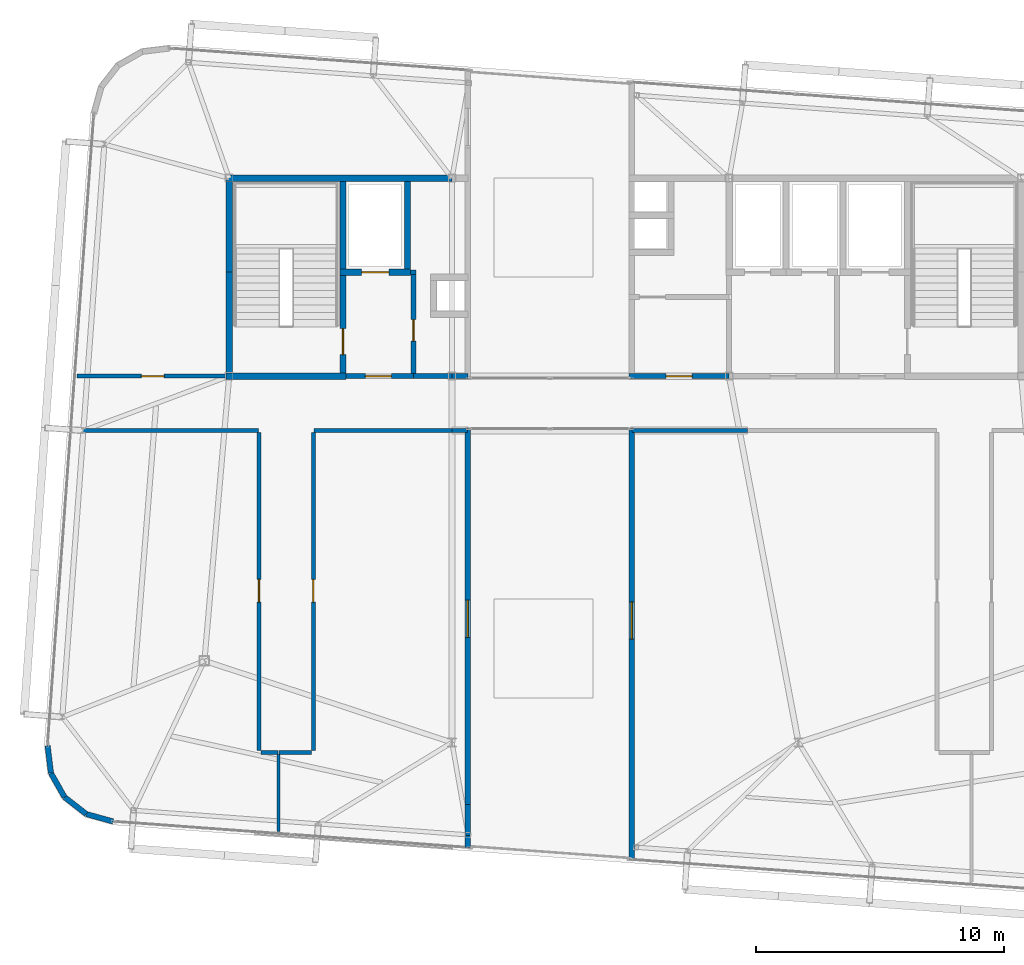
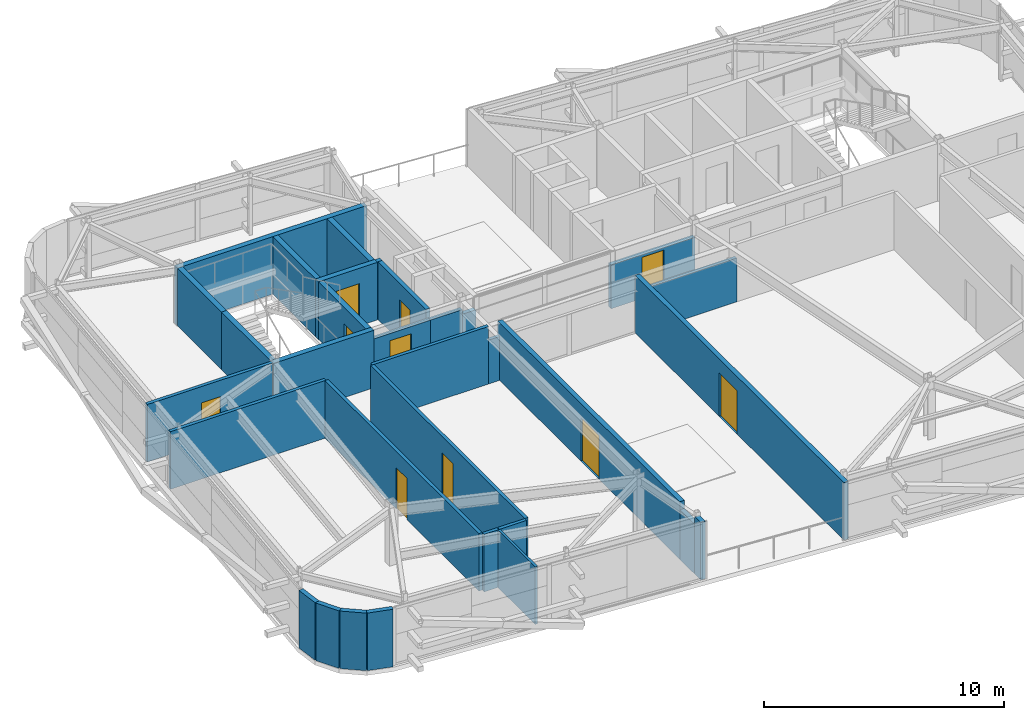
# One storey, part 32 of 36: 32 walls, 10 doors, 10 openings.
"""IFC4 building model written with IfcOpenShell, lengths in metres."""

from ifc_helpers import new_model, si_unit, direction, frame, frame_2d, origin, place, context, subcontext, project, spatial, rectangle, extrude, source, transform, mapped, material, layer, layer_set, type_object, element, fill, save


model = new_model("IFC4")

# Units and contexts
model_context = context("Model", 3, precision=1e-05, world=origin(), true_north=direction((0.0, 1.0)))
body_context = subcontext(model_context, "Body", "Model", "MODEL_VIEW")
ifc_project = project(units=[si_unit("LENGTHUNIT", "METRE"), si_unit("AREAUNIT", "SQUARE_METRE"), si_unit("VOLUMEUNIT", "CUBIC_METRE"), si_unit("PLANEANGLEUNIT", "RADIAN"), si_unit("MASSUNIT", "GRAM", prefix="KILO")], contexts=[model_context])

# Site, building, storey
site_placement = place(None, origin())
site = spatial("IfcSite", under=ifc_project, at=site_placement, CompositionType="ELEMENT")
building_placement = place(site_placement, origin())
building = spatial("IfcBuilding", under=site, at=building_placement, Name="Taldren Reach Tower", CompositionType="ELEMENT")
storey_placement = place(building_placement, frame((0.0, 0.0, 227.14990234375)))
storey = spatial("IfcBuildingStorey", under=building, at=storey_placement, Name="L69", CompositionType="ELEMENT", Elevation=227.14990234375)

# Walls
ifc_material_1 = material(Name="Pale Champagne Anodised Aluminium Cladding", Category="aluminium")
ifc_layer_1 = layer(ifc_material_1, 0.04, Name="Pale Champagne Anodised Aluminium Cladding", Category="aluminium")
ifc_material_2 = material(Name="Mineral Wool Acoustic Insulation", Category="insulation")
ifc_layer_2 = layer(ifc_material_2, 0.06, Name="Mineral Wool Acoustic Insulation", Category="insulation")
ifc_material_3 = material(Name="Steel Gr 350 (C350L0)", Category="steel")
ifc_layer_3 = layer(ifc_material_3, 0.12, Name="Steel Gr 350 (C350L0)", Category="steel")
ifc_layer_set_1 = layer_set([ifc_layer_1, ifc_layer_2, ifc_layer_3], Name="Pale Champagne Aluminium Cladding and Steel Gr 350 Stud Framing")
wall_type_1 = type_object("IfcWallType", Name="EW-CRN-220", PredefinedType="SOLIDWALL", material=ifc_layer_set_1)
shared_shape_1 = source(origin(), body_context, "Body", "SweptSolid", [
    extrude(rectangle(XDim=1.115966796875, YDim=0.219970703125, at=frame_2d((0.55810546875, 0.0))), origin(), (0.0, 0.0, 1.0), 2.93017578125),
])
for number, where, z_axis, x_axis, name in (
    (1, (11.66259765625, 9.072021484375, 0.0), (0.0, 0.0, 1.0), (0.122742076028, -0.992438604032, 0.0), "Rounded-corner pale-metal facade wall L69-SW1"),
    (2, (11.799560546875, 7.964599609375, 0.0), (0.0, 0.0, 1.0), (0.493073284892, -0.869987779067, 0.0), "Rounded-corner pale-metal facade wall L69-SW2"),
    (3, (12.349853515625, 6.99365234375, 0.0), (0.0, 0.0, 1.0), (0.788597772321, -0.614909386406, 0.0), "Rounded-corner pale-metal facade wall L69-SW3"),
):
    element("IfcWall", number, at=place(storey_placement, frame(where, z_axis=z_axis, x_axis=x_axis)), inside=storey, type_object=wall_type_1, Name=name, PredefinedType="SOLIDWALL", context=body_context, shape_type="MappedRepresentation", body=[
        mapped(shared_shape_1, transform((0.0, 0.0, 0.0), scale=1.0)),
    ])
shared_shape_2 = source(origin(), body_context, "Body", "SweptSolid", [
    extrude(rectangle(XDim=1.11572265625, YDim=0.219970703125, at=frame_2d((0.557861328125, 0.0))), origin(), (0.0, 0.0, 1.0), 2.93017578125),
])
wall_1_placement = place(storey_placement, frame((13.22998046875, 6.307373046875, 0.0), z_axis=(0.0, 0.0, 1.0), x_axis=(0.963890028874, -0.266300605026, 0.0)))
element("IfcWall", 4, at=wall_1_placement, inside=storey, type_object=wall_type_1, Name="Rounded-corner pale-metal facade wall L69-SW4", PredefinedType="SOLIDWALL", context=body_context, shape_type="MappedRepresentation", body=[
    mapped(shared_shape_2, transform((0.0, 0.0, 0.0), scale=1.0)),
])
shared_shape_3 = source(origin(), body_context, "Body", "SweptSolid", [
    extrude(rectangle(XDim=0.5029296875, YDim=0.219970703125, at=frame_2d((0.25146484375, 0.0))), origin(), (0.0, 0.0, 1.0), 2.93017578125),
])
wall_2_placement = place(storey_placement, frame((28.639892578125, 4.949462890625, 0.0), z_axis=(0.0, 0.0, 1.0), x_axis=(0.0, 1.0, 0.0)))
element("IfcWall", 5, at=wall_2_placement, inside=storey, type_object=wall_type_1, Name="Wind portal reveal wall L69-SW", PredefinedType="SOLIDWALL", context=body_context, shape_type="MappedRepresentation", body=[
    mapped(shared_shape_3, transform((0.0, 0.0, 0.0), scale=1.0)),
])
shared_shape_4 = source(origin(), body_context, "Body", "SweptSolid", [
    extrude(rectangle(XDim=1.23974609375, YDim=0.219970703125, at=frame_2d((0.619873046875, 0.0))), origin(), (0.0, 0.0, 1.0), 2.524169921875),
])
wall_3_placement = place(storey_placement, frame((28.639892578125, 5.452392578125, 0.0), z_axis=(0.0, 0.0, 1.0), x_axis=(0.0, 1.0, 0.0)))
element("IfcWall", 6, at=wall_3_placement, inside=storey, type_object=wall_type_1, Name="Wind portal reveal wall L69-SW part 2", PredefinedType="SOLIDWALL", context=body_context, shape_type="MappedRepresentation", body=[
    mapped(shared_shape_4, transform((0.0, 0.0, 0.0), scale=1.0)),
])

# Wall, opening, door
shared_shape_5 = source(origin(), body_context, "Body", "SweptSolid", [
    extrude(rectangle(XDim=15.187744140625, YDim=0.219970703125, at=frame_2d((7.59375, 0.0))), origin(), (0.0, 0.0, 1.0), 2.93017578125),
])
wall_4_placement = place(storey_placement, frame((28.639892578125, 6.692138671875, 0.0), z_axis=(0.0, 0.0, 1.0), x_axis=(0.0, 1.0, 0.0)))
wall_4 = element("IfcWall", 7, at=wall_4_placement, inside=storey, type_object=wall_type_1, Name="Wind portal reveal wall L69-SW part 3", PredefinedType="SOLIDWALL", context=body_context, shape_type="MappedRepresentation", body=[
    mapped(shared_shape_5, transform((0.0, 0.0, 0.0), scale=1.0)),
])
shared_shape_6 = source(origin(), body_context, "Body", "SweptSolid", [
    extrude(rectangle(XDim=1.5, YDim=2.199951171875, at=frame_2d((0.75, 1.10009765625))), frame((0.0, 0.1201171875, 0.0), z_axis=(0.0, -1.0, 0.0), x_axis=(1.0, 0.0, 0.0)), (0.0, 0.0, 1.0), 0.239990234375),
])
opening_1_placement = place(wall_4_placement, frame((6.75732421875, 0.0, 0.0)))
opening_1 = element("IfcOpeningElement", 8, at=opening_1_placement, cuts=wall_4, Name="Opening ED-150", PredefinedType="OPENING", context=body_context, shape_type="MappedRepresentation", body=[
    mapped(shared_shape_6, transform((0.0, 0.0, 0.0), scale=1.0)),
])
ifc_material_4 = material(Name="Weatherproof Glazed Terrace Door")
door_type_1 = type_object("IfcDoorType", Name="ED-TERR-1500", OperationType="DOUBLE_DOOR_SINGLE_SWING", PredefinedType="DOOR", material=ifc_material_4)
shared_shape_7 = source(origin(), body_context, "Body", "SweptSolid", [
    extrude(rectangle(XDim=1.5, YDim=2.199951171875, at=frame_2d((0.75, 1.10009765625))), frame((0.0, 0.02490234375, 0.0), z_axis=(0.0, -1.0, 0.0), x_axis=(1.0, 0.0, 0.0)), (0.0, 0.0, 1.0), 0.050048828125),
])
door_1_placement = place(opening_1_placement, frame((1.5, 0.0, 0.0), z_axis=(0.0, 0.0, 1.0), x_axis=(-1.0, 0.0, 0.0)))
door_1 = element("IfcDoor", 9, at=door_1_placement, inside=storey, type_object=door_type_1, Name="Wind portal terrace access door L69-SW", OperationType="SINGLE_SWING_RIGHT", OverallHeight=2.199951171875, OverallWidth=1.5, PredefinedType="DOOR", context=body_context, shape_type="MappedRepresentation", body=[
    mapped(shared_shape_7, transform((0.0, 0.0, 0.0), scale=1.0)),
])
fill(opening_1, door_1)

shared_shape_8 = source(origin(), body_context, "Body", "SweptSolid", [
    extrude(rectangle(XDim=17.400390625, YDim=0.219970703125, at=frame_2d((8.7001953125, 0.0))), origin(), (0.0, 0.0, 1.0), 2.93017578125),
])
wall_5_placement = place(storey_placement, frame((35.260009765625, 21.8798828125, 0.0), z_axis=(0.0, 0.0, 1.0), x_axis=(0.0, -1.0, 0.0)))
wall_5 = element("IfcWall", 10, at=wall_5_placement, inside=storey, type_object=wall_type_1, Name="Wind portal reveal wall L69-SE", PredefinedType="SOLIDWALL", context=body_context, shape_type="MappedRepresentation", body=[
    mapped(shared_shape_8, transform((0.0, 0.0, 0.0), scale=1.0)),
])
opening_2_placement = place(wall_5_placement, frame((7.0, 0.0, 0.0)))
opening_2 = element("IfcOpeningElement", 11, at=opening_2_placement, cuts=wall_5, Name="Opening ED-150", PredefinedType="OPENING", context=body_context, shape_type="MappedRepresentation", body=[
    mapped(shared_shape_6, transform((0.0, 0.0, 0.0), scale=1.0)),
])
door_2_placement = place(opening_2_placement, frame((1.5, 0.0, 0.0), z_axis=(0.0, 0.0, 1.0), x_axis=(-1.0, 0.0, 0.0)))
door_2 = element("IfcDoor", 12, at=door_2_placement, inside=storey, type_object=door_type_1, Name="Wind portal terrace access door L69-SE", OperationType="SINGLE_SWING_RIGHT", OverallHeight=2.199951171875, OverallWidth=1.5, PredefinedType="DOOR", context=body_context, shape_type="MappedRepresentation", body=[
    mapped(shared_shape_7, transform((0.0, 0.0, 0.0), scale=1.0)),
])
fill(opening_2, door_2)

# Wall
ifc_material_5 = material(Name="Fire-Rated Acoustic Plasterboard Stud Wall", Category="gypsum")
ifc_layer_4 = layer(ifc_material_5, 0.159912109375)
ifc_layer_set_2 = layer_set([ifc_layer_4], Name="Fire-Rated Acoustic Plasterboard Stud Wall")
wall_type_2 = type_object("IfcWallType", Name="IW-FIRE-160", PredefinedType="PARTITIONING", material=ifc_layer_set_2)
shared_shape_9 = source(origin(), body_context, "Body", "SweptSolid", [
    extrude(rectangle(XDim=1.2998046875, YDim=0.159912109375, at=frame_2d((0.64990234375, 0.0))), origin(), (0.0, 0.0, 1.0), 2.93017578125),
])
wall_6_placement = place(storey_placement, frame((22.320068359375, 8.800048828125, 0.0), z_axis=(0.0, 0.0, 1.0), x_axis=(-1.0, 0.0, 0.0)))
element("IfcWall", 13, at=wall_6_placement, inside=storey, type_object=wall_type_2, Name="Interior Partition Wall W-INT-L69-034", PredefinedType="PARTITIONING", context=body_context, shape_type="MappedRepresentation", body=[
    mapped(shared_shape_9, transform((0.0, 0.0, 0.0), scale=1.0)),
])

# Wall, opening, door
ifc_material_6 = material(Name="Concrete S50 (50 MPa)", Category="concrete")
ifc_layer_5 = layer(ifc_material_6, 0.199951171875)
ifc_layer_set_3 = layer_set([ifc_layer_5], Name="Concrete S50 (50 MPa)")
wall_type_3 = type_object("IfcWallType", Name="IW-CORE-200", PredefinedType="SOLIDWALL", material=ifc_layer_set_3)
shared_shape_10 = source(origin(), body_context, "Body", "SweptSolid", [
    extrude(rectangle(XDim=4.0, YDim=0.199951171875, at=frame_2d((2.0, 0.0))), origin(), (0.0, 0.0, 1.0), 2.93017578125),
])
wall_7_placement = place(storey_placement, frame((26.449951171875, 24.10009765625, 0.0), z_axis=(0.0, 0.0, 1.0), x_axis=(0.0, 1.0, 0.0)))
wall_7 = element("IfcWall", 14, at=wall_7_placement, inside=storey, type_object=wall_type_3, Name="Rear Core Shear Wall W-INT-L69-006", PredefinedType="SOLIDWALL", context=body_context, shape_type="MappedRepresentation", body=[
    mapped(shared_shape_10, transform((0.0, 0.0, 0.0), scale=1.0)),
])
shared_shape_11 = source(origin(), body_context, "Body", "SweptSolid", [
    extrude(rectangle(XDim=0.860107421875, YDim=2.10009765625, at=frame_2d((0.43017578125, 1.050048828125))), frame((0.0, 0.10986328125, 0.0), z_axis=(0.0, -1.0, 0.0), x_axis=(1.0, 0.0, 0.0)), (0.0, 0.0, 1.0), 0.219970703125),
])
opening_3_placement = place(wall_7_placement, frame((1.320068359375, 0.0, 0.0)))
opening_3 = element("IfcOpeningElement", 15, at=opening_3_placement, cuts=wall_7, Name="Opening DI-086", PredefinedType="OPENING", context=body_context, shape_type="MappedRepresentation", body=[
    mapped(shared_shape_11, transform((0.0, 0.0, 0.0), scale=1.0)),
])
ifc_material_7 = material(Name="Timber Bathroom Door", Category="wood")
door_type_2 = type_object("IfcDoorType", Name="ID-INT-086", OperationType="NOTDEFINED", PredefinedType="DOOR", material=ifc_material_7)
shared_shape_12 = source(origin(), body_context, "Body", "SweptSolid", [
    extrude(rectangle(XDim=0.860107421875, YDim=2.10009765625, at=frame_2d((0.43017578125, 1.050048828125))), frame((0.0, 0.02490234375, 0.0), z_axis=(0.0, -1.0, 0.0), x_axis=(1.0, 0.0, 0.0)), (0.0, 0.0, 1.0), 0.050048828125),
])
door_3_placement = place(opening_3_placement, frame((0.860107421875, 0.0, 0.0), z_axis=(0.0, 0.0, 1.0), x_axis=(-1.0, 0.0, 0.0)))
door_3 = element("IfcDoor", 16, at=door_3_placement, inside=storey, type_object=door_type_2, Name="Interior Door DR-L69-014", OperationType="SINGLE_SWING_RIGHT", OverallHeight=2.10009765625, OverallWidth=0.860107421875, PredefinedType="DOOR", context=body_context, shape_type="MappedRepresentation", body=[
    mapped(shared_shape_12, transform((0.0, 0.0, 0.0), scale=1.0)),
])
fill(opening_3, door_3)

# Walls
ifc_material_8 = material(Name="Concrete S65 (65 MPa)", Category="concrete")
ifc_layer_6 = layer(ifc_material_8, 0.25)
ifc_layer_set_4 = layer_set([ifc_layer_6], Name="Concrete S65 (65 MPa)")
wall_type_4 = type_object("IfcWallType", Name="IW-CORE-250", PredefinedType="SHEAR", material=ifc_layer_set_4)
shared_shape_13 = source(origin(), body_context, "Body", "SweptSolid", [
    extrude(rectangle(XDim=9.125, YDim=0.25, at=frame_2d((4.5625, 0.0))), origin(), (0.0, 0.0, 1.0), 2.93017578125),
])
wall_8_placement = place(storey_placement, frame((18.875, 32.0, 0.0), z_axis=(0.0, 0.0, 1.0), x_axis=(1.0, 0.0, 0.0)))
element("IfcWall", 17, at=wall_8_placement, inside=storey, type_object=wall_type_4, Name="Rear Core Shear Wall W-CORE-L69-NORTH1", PredefinedType="SHEAR", context=body_context, shape_type="MappedRepresentation", body=[
    mapped(shared_shape_13, transform((0.0, 0.0, 0.0), scale=1.0)),
])
shared_shape_14 = source(origin(), body_context, "Body", "SweptSolid", [
    extrude(rectangle(XDim=4.074951171875, YDim=0.25, at=frame_2d((2.03759765625, 0.0))), origin(), (0.0, 0.0, 1.0), 2.93017578125),
])
wall_9_placement = place(storey_placement, frame((19.0, 24.125, 0.0), z_axis=(0.0, 0.0, 1.0), x_axis=(0.0, 1.0, 0.0)))
element("IfcWall", 18, at=wall_9_placement, inside=storey, type_object=wall_type_4, Name="Rear Core Shear Wall W-CORE-L69-WEST1", PredefinedType="SHEAR", context=body_context, shape_type="MappedRepresentation", body=[
    mapped(shared_shape_14, transform((0.0, 0.0, 0.0), scale=1.0)),
])
shared_shape_15 = source(origin(), body_context, "Body", "SweptSolid", [
    extrude(rectangle(XDim=3.675048828125, YDim=0.25, at=frame_2d((1.83740234375, 0.0))), origin(), (0.0, 0.0, 1.0), 2.93017578125),
])
wall_10_placement = place(storey_placement, frame((19.0, 28.199951171875, 0.0), z_axis=(0.0, 0.0, 1.0), x_axis=(0.0, 1.0, 0.0)))
element("IfcWall", 19, at=wall_10_placement, inside=storey, type_object=wall_type_4, Name="Rear Core Shear Wall W-CORE-L69-WEST2", PredefinedType="SHEAR", context=body_context, shape_type="MappedRepresentation", body=[
    mapped(shared_shape_15, transform((0.0, 0.0, 0.0), scale=1.0)),
])
shared_shape_16 = source(origin(), body_context, "Body", "SweptSolid", [
    extrude(rectangle(XDim=3.550048828125, YDim=0.25, at=frame_2d((1.77490234375, 0.0))), origin(), (0.0, 0.0, 1.0), 2.93017578125),
])
for number, where, z_axis, x_axis, name in (
    (20, (23.60009765625, 28.324951171875, 0.0), (0.0, 0.0, 1.0), (0.0, 1.0, 0.0), "Rear Core Shear Wall W-INT-L69-001"),
    (21, (26.199951171875, 28.324951171875, 0.0), (0.0, 0.0, 1.0), (0.0, 1.0, 0.0), "Rear Core Shear Wall W-INT-L69-005"),
):
    element("IfcWall", number, at=place(storey_placement, frame(where, z_axis=z_axis, x_axis=x_axis)), inside=storey, type_object=wall_type_4, Name=name, PredefinedType="SHEAR", context=body_context, shape_type="MappedRepresentation", body=[
        mapped(shared_shape_16, transform((0.0, 0.0, 0.0), scale=1.0)),
    ])

# Wall, opening, door
shared_shape_17 = source(origin(), body_context, "Body", "SweptSolid", [
    extrude(rectangle(XDim=3.949951171875, YDim=0.25, at=frame_2d((1.97509765625, 0.0))), origin(), (0.0, 0.0, 1.0), 2.93017578125),
])
wall_11_placement = place(storey_placement, frame((23.60009765625, 24.125, 0.0), z_axis=(0.0, 0.0, 1.0), x_axis=(0.0, 1.0, 0.0)))
wall_11 = element("IfcWall", 22, at=wall_11_placement, inside=storey, type_object=wall_type_4, Name="Rear Core Shear Wall W-INT-L69-002", PredefinedType="SHEAR", context=body_context, shape_type="MappedRepresentation", body=[
    mapped(shared_shape_17, transform((0.0, 0.0, 0.0), scale=1.0)),
])
shared_shape_18 = source(origin(), body_context, "Body", "SweptSolid", [
    extrude(rectangle(XDim=1.050048828125, YDim=2.10009765625, at=frame_2d((0.52490234375, 1.050048828125))), frame((0.0, 0.135009765625, 0.0), z_axis=(0.0, -1.0, 0.0), x_axis=(1.0, 0.0, 0.0)), (0.0, 0.0, 1.0), 0.27001953125),
])
opening_4_placement = place(wall_11_placement, frame((0.75, 0.0, 0.0)))
opening_4 = element("IfcOpeningElement", 23, at=opening_4_placement, cuts=wall_11, Name="Opening DF-105", PredefinedType="OPENING", context=body_context, shape_type="MappedRepresentation", body=[
    mapped(shared_shape_18, transform((0.0, 0.0, 0.0), scale=1.0)),
])
ifc_material_9 = material(Name="Fire-Rated Care and Stair Exit Door")
door_type_3 = type_object("IfcDoorType", Name="ID-FIRE-105", OperationType="NOTDEFINED", PredefinedType="DOOR", material=ifc_material_9)
shared_shape_19 = source(origin(), body_context, "Body", "SweptSolid", [
    extrude(rectangle(XDim=1.050048828125, YDim=2.10009765625, at=frame_2d((0.52490234375, 1.050048828125))), frame((0.0, 0.02490234375, 0.0), z_axis=(0.0, -1.0, 0.0), x_axis=(1.0, 0.0, 0.0)), (0.0, 0.0, 1.0), 0.050048828125),
])
door_4_placement = place(opening_4_placement, origin())
door_4 = element("IfcDoor", 24, at=door_4_placement, inside=storey, type_object=door_type_3, Name="Fire Exit Stair Door DR-L69-001", OperationType="SINGLE_SWING_LEFT", OverallHeight=2.10009765625, OverallWidth=1.050048828125, PredefinedType="DOOR", context=body_context, shape_type="MappedRepresentation", body=[
    mapped(shared_shape_19, transform((0.0, 0.0, 0.0), scale=1.0)),
])
fill(opening_4, door_4)

# Wall
shared_shape_20 = source(origin(), body_context, "Body", "SweptSolid", [
    extrude(rectangle(XDim=4.85009765625, YDim=0.25, at=frame_2d((2.425048828125, 0.0))), origin(), (0.0, 0.0, 1.0), 2.93017578125),
])
wall_12_placement = place(storey_placement, frame((18.875, 24.0, 0.0), z_axis=(0.0, 0.0, 1.0), x_axis=(1.0, 0.0, 0.0)))
element("IfcWall", 25, at=wall_12_placement, inside=storey, type_object=wall_type_4, Name="Rear Core Shear Wall W-INT-L69-003", PredefinedType="SHEAR", context=body_context, shape_type="MappedRepresentation", body=[
    mapped(shared_shape_20, transform((0.0, 0.0, 0.0), scale=1.0)),
])

# Wall, opening, door
shared_shape_21 = source(origin(), body_context, "Body", "SweptSolid", [
    extrude(rectangle(XDim=2.849853515625, YDim=0.25, at=frame_2d((1.4248046875, 0.0))), origin(), (0.0, 0.0, 1.0), 2.93017578125),
])
wall_13_placement = place(storey_placement, frame((23.47509765625, 28.199951171875, 0.0), z_axis=(0.0, 0.0, 1.0), x_axis=(1.0, 0.0, 0.0)))
wall_13 = element("IfcWall", 26, at=wall_13_placement, inside=storey, type_object=wall_type_4, Name="Rear Core Shear Wall W-INT-L69-004", PredefinedType="SHEAR", context=body_context, shape_type="MappedRepresentation", body=[
    mapped(shared_shape_21, transform((0.0, 0.0, 0.0), scale=1.0)),
])
shared_shape_22 = source(origin(), body_context, "Body", "SweptSolid", [
    extrude(rectangle(XDim=1.10009765625, YDim=2.14990234375, at=frame_2d((0.550048828125, 1.074951171875))), frame((0.0, 0.135009765625, 0.0), z_axis=(0.0, -1.0, 0.0), x_axis=(1.0, 0.0, 0.0)), (0.0, 0.0, 1.0), 0.27001953125),
])
opening_5_placement = place(wall_13_placement, frame((0.875, 0.0, 0.0)))
opening_5 = element("IfcOpeningElement", 27, at=opening_5_placement, cuts=wall_13, Name="Opening LD-FL1", PredefinedType="OPENING", context=body_context, shape_type="MappedRepresentation", body=[
    mapped(shared_shape_22, transform((0.0, 0.0, 0.0), scale=1.0)),
])
ifc_material_10 = material(Name="Stainless Steel Gr 316 Emergency Lift Landing Door", Category="steel")
door_type_4 = type_object("IfcDoorType", Name="LD-EMG-110", OperationType="SLIDING_TO_LEFT", PredefinedType="DOOR", material=ifc_material_10)
shared_shape_23 = source(origin(), body_context, "Body", "SweptSolid", [
    extrude(rectangle(XDim=1.10009765625, YDim=2.14990234375, at=frame_2d((0.550048828125, 1.074951171875))), frame((0.0, 0.02490234375, 0.0), z_axis=(0.0, -1.0, 0.0), x_axis=(1.0, 0.0, 0.0)), (0.0, 0.0, 1.0), 0.050048828125),
])
door_5_placement = place(opening_5_placement, origin())
door_5 = element("IfcDoor", 28, at=door_5_placement, inside=storey, type_object=door_type_4, Name="Lift Landing Door LD-FL1-L69", OperationType="SLIDING_TO_LEFT", OverallHeight=2.14990234375, OverallWidth=1.10009765625, PredefinedType="DOOR", context=body_context, shape_type="MappedRepresentation", body=[
    mapped(shared_shape_23, transform((0.0, 0.0, 0.0), scale=1.0)),
])
fill(opening_5, door_5)

shared_shape_24 = source(origin(), body_context, "Body", "SweptSolid", [
    extrude(rectangle(XDim=2.724853515625, YDim=0.199951171875, at=frame_2d((1.3623046875, 0.0))), origin(), (0.0, 0.0, 1.0), 2.47021484375),
])
wall_14_placement = place(storey_placement, frame((23.72509765625, 24.0, 0.0), z_axis=(0.0, 0.0, 1.0), x_axis=(1.0, 0.0, 0.0)))
wall_14 = element("IfcWall", 29, at=wall_14_placement, inside=storey, type_object=wall_type_3, Name="Rear Core Shear Wall W-INT-L69-007", PredefinedType="SOLIDWALL", context=body_context, shape_type="MappedRepresentation", body=[
    mapped(shared_shape_24, transform((0.0, 0.0, 0.0), scale=1.0)),
])
shared_shape_25 = source(origin(), body_context, "Body", "SweptSolid", [
    extrude(rectangle(XDim=1.050048828125, YDim=2.10009765625, at=frame_2d((0.52490234375, 1.050048828125))), frame((0.0, 0.10986328125, 0.0), z_axis=(0.0, -1.0, 0.0), x_axis=(1.0, 0.0, 0.0)), (0.0, 0.0, 1.0), 0.219970703125),
])
opening_6_placement = place(wall_14_placement, frame((0.77490234375, 0.0, 0.0)))
opening_6 = element("IfcOpeningElement", 30, at=opening_6_placement, cuts=wall_14, Name="Opening DF-105", PredefinedType="OPENING", context=body_context, shape_type="MappedRepresentation", body=[
    mapped(shared_shape_25, transform((0.0, 0.0, 0.0), scale=1.0)),
])
door_6_placement = place(opening_6_placement, origin())
door_6 = element("IfcDoor", 31, at=door_6_placement, inside=storey, type_object=door_type_3, Name="Interior Door DR-L69-002", OperationType="SINGLE_SWING_LEFT", OverallHeight=2.10009765625, OverallWidth=1.050048828125, PredefinedType="DOOR", context=body_context, shape_type="MappedRepresentation", body=[
    mapped(shared_shape_19, transform((0.0, 0.0, 0.0), scale=1.0)),
])
fill(opening_6, door_6)

shared_shape_26 = source(origin(), body_context, "Body", "SweptSolid", [
    extrude(rectangle(XDim=12.840087890625, YDim=0.159912109375, at=frame_2d((6.419921875, 0.0))), origin(), (0.0, 0.0, 1.0), 2.93017578125),
])
wall_15_placement = place(storey_placement, frame((22.39990234375, 21.719970703125, 0.0), z_axis=(0.0, 0.0, 1.0), x_axis=(0.0, -1.0, 0.0)))
wall_15 = element("IfcWall", 32, at=wall_15_placement, inside=storey, type_object=wall_type_2, Name="Interior Partition Wall W-INT-L69-032", PredefinedType="PARTITIONING", context=body_context, shape_type="MappedRepresentation", body=[
    mapped(shared_shape_26, transform((0.0, 0.0, 0.0), scale=1.0)),
])
shared_shape_27 = source(origin(), body_context, "Body", "SweptSolid", [
    extrude(rectangle(XDim=0.919921875, YDim=2.10009765625, at=frame_2d((0.4599609375, 1.050048828125))), frame((0.0, 0.08984375, 0.0), z_axis=(0.0, -1.0, 0.0), x_axis=(1.0, 0.0, 0.0)), (0.0, 0.0, 1.0), 0.179931640625),
])
opening_7_placement = place(wall_15_placement, frame((5.93017578125, 0.0, 0.0)))
opening_7 = element("IfcOpeningElement", 33, at=opening_7_placement, cuts=wall_15, Name="Opening DI-092", PredefinedType="OPENING", context=body_context, shape_type="MappedRepresentation", body=[
    mapped(shared_shape_27, transform((0.0, 0.0, 0.0), scale=1.0)),
])
ifc_material_11 = material(Name="Solid-Core Timber Suite Door", Category="wood")
door_type_5 = type_object("IfcDoorType", Name="ID-INT-092", OperationType="NOTDEFINED", PredefinedType="DOOR", material=ifc_material_11)
shared_shape_28 = source(origin(), body_context, "Body", "SweptSolid", [
    extrude(rectangle(XDim=0.919921875, YDim=2.10009765625, at=frame_2d((0.4599609375, 1.050048828125))), frame((0.0, 0.02490234375, 0.0), z_axis=(0.0, -1.0, 0.0), x_axis=(1.0, 0.0, 0.0)), (0.0, 0.0, 1.0), 0.050048828125),
])
door_7_placement = place(opening_7_placement, origin())
door_7 = element("IfcDoor", 34, at=door_7_placement, inside=storey, type_object=door_type_5, Name="Interior Door DR-L69-008", OperationType="SINGLE_SWING_LEFT", OverallHeight=2.10009765625, OverallWidth=0.919921875, PredefinedType="DOOR", context=body_context, shape_type="MappedRepresentation", body=[
    mapped(shared_shape_28, transform((0.0, 0.0, 0.0), scale=1.0)),
])
fill(opening_7, door_7)

wall_16_placement = place(storey_placement, frame((20.199951171875, 8.8798828125, 0.0), z_axis=(0.0, 0.0, 1.0), x_axis=(0.0, 1.0, 0.0)))
wall_16 = element("IfcWall", 35, at=wall_16_placement, inside=storey, type_object=wall_type_2, Name="Interior Partition Wall W-INT-L69-038", PredefinedType="PARTITIONING", context=body_context, shape_type="MappedRepresentation", body=[
    mapped(shared_shape_26, transform((0.0, 0.0, 0.0), scale=1.0)),
])
opening_8_placement = place(wall_16_placement, frame((5.989990234375, 0.0, 0.0)))
opening_8 = element("IfcOpeningElement", 36, at=opening_8_placement, cuts=wall_16, Name="Opening DI-092", PredefinedType="OPENING", context=body_context, shape_type="MappedRepresentation", body=[
    mapped(shared_shape_27, transform((0.0, 0.0, 0.0), scale=1.0)),
])
door_8_placement = place(opening_8_placement, origin())
door_8 = element("IfcDoor", 37, at=door_8_placement, inside=storey, type_object=door_type_5, Name="Interior Door DR-L69-010", OperationType="SINGLE_SWING_LEFT", OverallHeight=2.10009765625, OverallWidth=0.919921875, PredefinedType="DOOR", context=body_context, shape_type="MappedRepresentation", body=[
    mapped(shared_shape_28, transform((0.0, 0.0, 0.0), scale=1.0)),
])
fill(opening_8, door_8)

# Wall
shared_shape_29 = source(origin(), body_context, "Body", "SweptSolid", [
    extrude(rectangle(XDim=0.22509765625, YDim=0.199951171875, at=frame_2d((0.112548828125, 0.0))), origin(), (0.0, 0.0, 1.0), 2.93017578125),
])
wall_17_placement = place(storey_placement, frame((26.324951171875, 28.199951171875, 0.0), z_axis=(0.0, 0.0, 1.0), x_axis=(1.0, 0.0, 0.0)))
element("IfcWall", 38, at=wall_17_placement, inside=storey, type_object=wall_type_3, Name="Rear Core Partition Wall W-INT-L69-048", PredefinedType="SOLIDWALL", context=body_context, shape_type="MappedRepresentation", body=[
    mapped(shared_shape_29, transform((0.0, 0.0, 0.0), scale=1.0)),
])

# Wall, opening, door
shared_shape_30 = source(origin(), body_context, "Body", "SweptSolid", [
    extrude(rectangle(XDim=6.03173828125, YDim=0.159912109375, at=frame_2d((3.015869140625, 0.0))), origin(), (0.0, 0.0, 1.0), 2.93017578125),
])
wall_18_placement = place(storey_placement, frame((12.84326171875, 24.0, 0.0), z_axis=(0.0, 0.0, 1.0), x_axis=(1.0, 0.0, 0.0)))
wall_18 = element("IfcWall", 39, at=wall_18_placement, inside=storey, type_object=wall_type_2, Name="Interior Partition Wall W-INT-L69-044", PredefinedType="PARTITIONING", context=body_context, shape_type="MappedRepresentation", body=[
    mapped(shared_shape_30, transform((0.0, 0.0, 0.0), scale=1.0)),
])
opening_9_placement = place(wall_18_placement, frame((2.6083984375, 0.0, 0.0)))
opening_9 = element("IfcOpeningElement", 40, at=opening_9_placement, cuts=wall_18, Name="Opening DI-092", PredefinedType="OPENING", context=body_context, shape_type="MappedRepresentation", body=[
    mapped(shared_shape_27, transform((0.0, 0.0, 0.0), scale=1.0)),
])
door_9_placement = place(opening_9_placement, origin())
door_9 = element("IfcDoor", 41, at=door_9_placement, inside=storey, type_object=door_type_5, Name="Interior Door DR-L69-012", OperationType="SINGLE_SWING_LEFT", OverallHeight=2.10009765625, OverallWidth=0.919921875, PredefinedType="DOOR", context=body_context, shape_type="MappedRepresentation", body=[
    mapped(shared_shape_28, transform((0.0, 0.0, 0.0), scale=1.0)),
])
fill(opening_9, door_9)

shared_shape_31 = source(origin(), body_context, "Body", "SweptSolid", [
    extrude(rectangle(XDim=4.050048828125, YDim=0.199951171875, at=frame_2d((2.02490234375, 0.0))), origin(), (0.0, 0.0, 1.0), 2.22998046875),
])
wall_19_placement = place(storey_placement, frame((39.199951171875, 24.0, 0.0), z_axis=(0.0, 0.0, 1.0), x_axis=(-1.0, 0.0, 0.0)))
wall_19 = element("IfcWall", 42, at=wall_19_placement, inside=storey, type_object=wall_type_3, Name="Rear Core Shear Wall W-INT-L69-031", PredefinedType="SOLIDWALL", context=body_context, shape_type="MappedRepresentation", body=[
    mapped(shared_shape_31, transform((0.0, 0.0, 0.0), scale=1.0)),
])
opening_10_placement = place(wall_19_placement, frame((1.5, 0.0, 0.0)))
opening_10 = element("IfcOpeningElement", 43, at=opening_10_placement, cuts=wall_19, Name="Opening DF-105", PredefinedType="OPENING", context=body_context, shape_type="MappedRepresentation", body=[
    mapped(shared_shape_25, transform((0.0, 0.0, 0.0), scale=1.0)),
])
door_10_placement = place(opening_10_placement, frame((1.050048828125, 0.0, 0.0), z_axis=(0.0, 0.0, 1.0), x_axis=(-1.0, 0.0, 0.0)))
door_10 = element("IfcDoor", 44, at=door_10_placement, inside=storey, type_object=door_type_3, Name="Interior Door DR-L69-007", OperationType="SINGLE_SWING_LEFT", OverallHeight=2.10009765625, OverallWidth=1.050048828125, PredefinedType="DOOR", context=body_context, shape_type="MappedRepresentation", body=[
    mapped(shared_shape_19, transform((0.0, 0.0, 0.0), scale=1.0)),
])
fill(opening_10, door_10)

# Walls
shared_shape_32 = source(origin(), body_context, "Body", "SweptSolid", [
    extrude(rectangle(XDim=0.639892578125, YDim=0.199951171875, at=frame_2d((0.31982421875, 0.0))), origin(), (0.0, 0.0, 1.0), 2.22998046875),
])
wall_20_placement = place(storey_placement, frame((28.639892578125, 24.0, 0.0), z_axis=(0.0, 0.0, 1.0), x_axis=(-1.0, 0.0, 0.0)))
element("IfcWall", 45, at=wall_20_placement, inside=storey, type_object=wall_type_3, Name="Rear Core Shear Wall W-INT-L69-029", PredefinedType="SOLIDWALL", context=body_context, shape_type="MappedRepresentation", body=[
    mapped(shared_shape_32, transform((0.0, 0.0, 0.0), scale=1.0)),
])
shared_shape_33 = source(origin(), body_context, "Body", "SweptSolid", [
    extrude(rectangle(XDim=1.550048828125, YDim=0.199951171875, at=frame_2d((0.77490234375, 0.0))), origin(), (0.0, 0.0, 1.0), 2.47021484375),
])
wall_21_placement = place(storey_placement, frame((28.0, 24.0, 0.0), z_axis=(0.0, 0.0, 1.0), x_axis=(-1.0, 0.0, 0.0)))
element("IfcWall", 46, at=wall_21_placement, inside=storey, type_object=wall_type_3, Name="Rear Core Shear Wall W-INT-L69-029 part 2", PredefinedType="SOLIDWALL", context=body_context, shape_type="MappedRepresentation", body=[
    mapped(shared_shape_33, transform((0.0, 0.0, 0.0), scale=1.0)),
])
shared_shape_34 = source(origin(), body_context, "Body", "SweptSolid", [
    extrude(rectangle(XDim=0.61962890625, YDim=0.159912109375, at=frame_2d((0.309814453125, 0.0))), origin(), (0.0, 0.0, 1.0), 2.22998046875),
])
wall_22_placement = place(storey_placement, frame((28.61962890625, 21.800048828125, 0.0), z_axis=(0.0, 0.0, 1.0), x_axis=(-1.0, 0.0, 0.0)))
element("IfcWall", 47, at=wall_22_placement, inside=storey, type_object=wall_type_2, Name="Interior Partition Wall W-INT-L69-033", PredefinedType="PARTITIONING", context=body_context, shape_type="MappedRepresentation", body=[
    mapped(shared_shape_34, transform((0.0, 0.0, 0.0), scale=1.0)),
])
shared_shape_35 = source(origin(), body_context, "Body", "SweptSolid", [
    extrude(rectangle(XDim=5.57958984375, YDim=0.159912109375, at=frame_2d((2.789794921875, 0.0))), origin(), (0.0, 0.0, 1.0), 2.93017578125),
])
wall_23_placement = place(storey_placement, frame((28.0, 21.800048828125, 0.0), z_axis=(0.0, 0.0, 1.0), x_axis=(-1.0, 0.0, 0.0)))
element("IfcWall", 48, at=wall_23_placement, inside=storey, type_object=wall_type_2, Name="Interior Partition Wall W-INT-L69-033 part 2", PredefinedType="PARTITIONING", context=body_context, shape_type="MappedRepresentation", body=[
    mapped(shared_shape_35, transform((0.0, 0.0, 0.0), scale=1.0)),
])
shared_shape_36 = source(origin(), body_context, "Body", "SweptSolid", [
    extrude(rectangle(XDim=4.669677734375, YDim=0.159912109375, at=frame_2d((2.3349609375, 0.0))), origin(), (0.0, 0.0, 1.0), 2.22998046875),
])
wall_24_placement = place(storey_placement, frame((39.949951171875, 21.800048828125, 0.0), z_axis=(0.0, 0.0, 1.0), x_axis=(-1.0, 0.0, 0.0)))
element("IfcWall", 49, at=wall_24_placement, inside=storey, type_object=wall_type_2, Name="Interior Partition Wall W-INT-L69-036 part 2", PredefinedType="PARTITIONING", context=body_context, shape_type="MappedRepresentation", body=[
    mapped(shared_shape_36, transform((0.0, 0.0, 0.0), scale=1.0)),
])
shared_shape_37 = source(origin(), body_context, "Body", "SweptSolid", [
    extrude(rectangle(XDim=7.486328125, YDim=0.159912109375, at=frame_2d((3.7431640625, 0.0))), origin(), (0.0, 0.0, 1.0), 2.93017578125),
])
wall_25_placement = place(storey_placement, frame((20.1796875, 21.800048828125, 0.0), z_axis=(0.0, 0.0, 1.0), x_axis=(-1.0, 0.0, 0.0)))
element("IfcWall", 50, at=wall_25_placement, inside=storey, type_object=wall_type_2, Name="Interior Partition Wall W-INT-L69-039", PredefinedType="PARTITIONING", context=body_context, shape_type="MappedRepresentation", body=[
    mapped(shared_shape_37, transform((0.0, 0.0, 0.0), scale=1.0)),
])
shared_shape_38 = source(origin(), body_context, "Body", "SweptSolid", [
    extrude(rectangle(XDim=0.69970703125, YDim=0.159912109375, at=frame_2d((0.349853515625, 0.0))), origin(), (0.0, 0.0, 1.0), 2.93017578125),
])
wall_26_placement = place(storey_placement, frame((20.979736328125, 8.800048828125, 0.0), z_axis=(0.0, 0.0, 1.0), x_axis=(-1.0, 0.0, 0.0)))
element("IfcWall", 51, at=wall_26_placement, inside=storey, type_object=wall_type_2, Name="Interior Partition Wall W-INT-L69-040", PredefinedType="PARTITIONING", context=body_context, shape_type="MappedRepresentation", body=[
    mapped(shared_shape_38, transform((0.0, 0.0, 0.0), scale=1.0)),
])
ifc_material_12 = material(Name="Insulated Residential Stud Partition", Category="gypsum")
ifc_layer_7 = layer(ifc_material_12, 0.1201171875)
ifc_layer_set_5 = layer_set([ifc_layer_7], Name="Insulated Residential Stud Partition")
wall_type_5 = type_object("IfcWallType", Name="IW-PART-120", PredefinedType="PARTITIONING", material=ifc_layer_set_5)
shared_shape_39 = source(origin(), body_context, "Body", "SweptSolid", [
    extrude(rectangle(XDim=3.113037109375, YDim=0.1201171875, at=frame_2d((1.556640625, 0.0))), origin(), (0.0, 0.0, 1.0), 2.93017578125),
])
wall_27_placement = place(storey_placement, frame((21.0, 5.60498046875, 0.0), z_axis=(0.0, 0.0, 1.0), x_axis=(0.0, 1.0, 0.0)))
element("IfcWall", 52, at=wall_27_placement, inside=storey, type_object=wall_type_5, Name="Interior Partition Wall W-INT-L69-046", PredefinedType="PARTITIONING", context=body_context, shape_type="MappedRepresentation", body=[
    mapped(shared_shape_39, transform((0.0, 0.0, 0.0), scale=1.0)),
])

save(model, "model.ifc")
